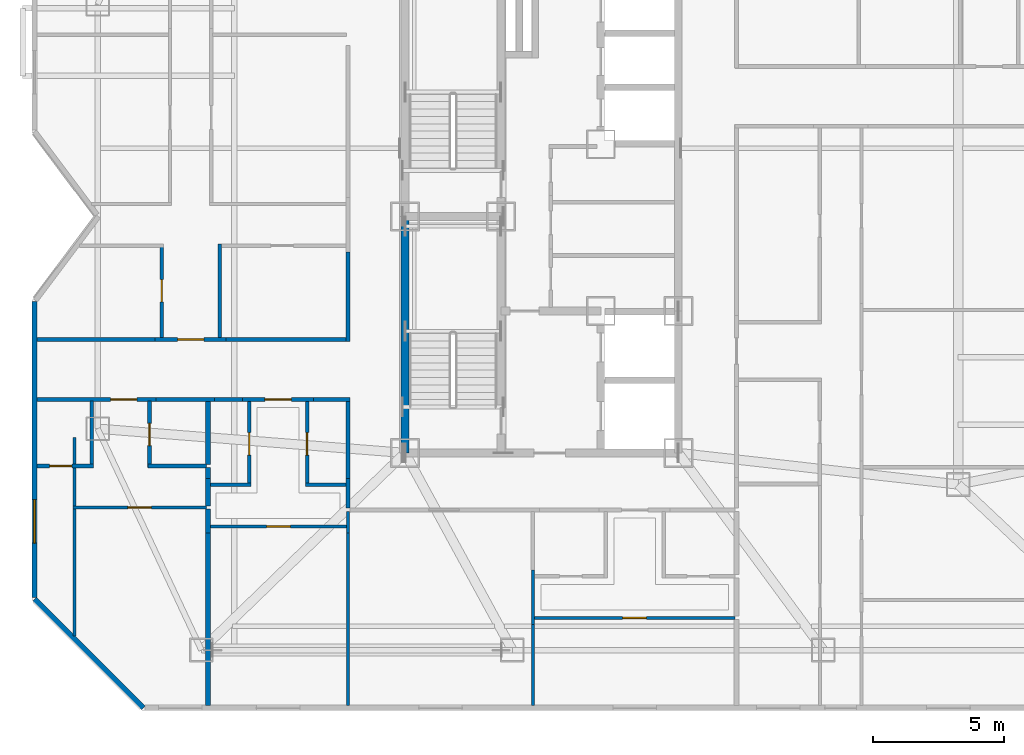
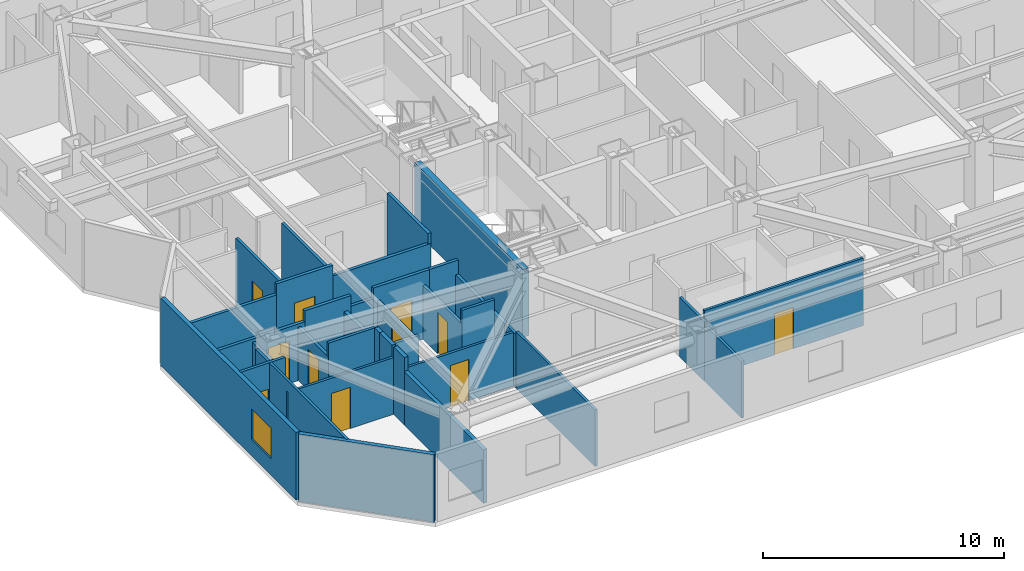
# One storey, part 5 of 13: 37 walls, 11 doors, 1 window, 12 openings.
"""IFC4 building model written with IfcOpenShell, lengths in metres."""

from ifc_helpers import new_model, si_unit, direction, frame, frame_2d, origin, place, context, subcontext, project, spatial, rectangle, extrude, material, layer, layer_set, type_object, element, fill, save


model = new_model("IFC4")

# Units and contexts
model_context = context("Model", 3, precision=1e-05, world=origin(), true_north=direction((0.0, 1.0)))
body_context = subcontext(model_context, "Body", "Model", "MODEL_VIEW")
ifc_project = project(units=[si_unit("LENGTHUNIT", "METRE"), si_unit("AREAUNIT", "SQUARE_METRE"), si_unit("VOLUMEUNIT", "CUBIC_METRE"), si_unit("PLANEANGLEUNIT", "RADIAN"), si_unit("MASSUNIT", "GRAM", prefix="KILO")], contexts=[model_context])

# Site, building, storey
site_placement = place(None, origin())
site = spatial("IfcSite", under=ifc_project, at=site_placement, CompositionType="ELEMENT")
building_placement = place(site_placement, origin())
building = spatial("IfcBuilding", under=site, at=building_placement, Name="Khamvora Tower", CompositionType="ELEMENT")
storey_placement = place(building_placement, frame((0.0, 0.0, 166.85009765625)))
storey = spatial("IfcBuildingStorey", under=building, at=storey_placement, Name="L42", CompositionType="ELEMENT", Elevation=166.85009765625)

# Wall
ifc_material_1 = material(Name="Concrete C50/60", Category="concrete")
ifc_layer_1 = layer(ifc_material_1, 0.300048828125)
ifc_layer_set_1 = layer_set([ifc_layer_1], Name="Concrete C50/60")
wall_type_1 = type_object("IfcWallType", Name="WAL-CORE-300", PredefinedType="SHEAR", material=ifc_layer_set_1)
wall_1_placement = place(storey_placement, frame((29.0, 19.0, 0.0), z_axis=(0.0, 0.0, 1.0), x_axis=(0.0, 1.0, 0.0)))
element("IfcWall", 1, at=wall_1_placement, inside=storey, type_object=wall_type_1, Name="L42 central core west south wall", PredefinedType="SHEAR", context=body_context, shape_type="SweptSolid", body=[
    extrude(rectangle(XDim=9.0, YDim=0.300048828125, at=frame_2d((4.5, 0.0))), origin(), (0.0, 0.0, 1.0), 3.429931640625),
])

# Wall, opening, door
ifc_material_2 = material(Name="Fire-Rated Drywall and Steel Stud", Category="steel")
ifc_layer_2 = layer(ifc_material_2, 0.14990234375)
ifc_layer_set_2 = layer_set([ifc_layer_2], Name="Fire-Rated Drywall and Steel Stud")
wall_type_2 = type_object("IfcWallType", Name="WAL-CORR-150", PredefinedType="STANDARD", material=ifc_layer_set_2)
wall_2_placement = place(storey_placement, frame((19.52392578125, 21.034912109375, 0.0), z_axis=(0.0, 0.0, 1.0), x_axis=(-1.0, 0.0, 0.0)))
wall_2 = element("IfcWall", 2, at=wall_2_placement, inside=storey, type_object=wall_type_2, Name="L42 interior partition wall 008", PredefinedType="STANDARD", context=body_context, shape_type="SweptSolid", body=[
    extrude(rectangle(XDim=4.531982421875, YDim=0.14990234375, at=frame_2d((2.26611328125, 0.0))), origin(), (0.0, 0.0, 1.0), 2.8759765625),
])
opening_1_placement = place(wall_2_placement, frame((0.73388671875, 0.0, 0.0)))
opening_1 = element("IfcOpeningElement", 3, at=opening_1_placement, cuts=wall_2, Name="Opening D-U1", PredefinedType="OPENING", context=body_context, shape_type="SweptSolid", body=[
    extrude(rectangle(XDim=1.0, YDim=2.14990234375, at=frame_2d((0.5, 1.074951171875))), frame((0.0, 0.0849609375, 0.0), z_axis=(0.0, -1.0, 0.0), x_axis=(1.0, 0.0, 0.0)), (0.0, 0.0, 1.0), 0.169921875),
])
ifc_material_3 = material(Name="Powder-Coated Steel and Hardwood Leaf", Category="steel")
door_type_1 = type_object("IfcDoorType", Name="DOR-UNIT-1000", OperationType="NOTDEFINED", PredefinedType="DOOR", material=ifc_material_3)
door_1_placement = place(opening_1_placement, origin())
door_1 = element("IfcDoor", 4, at=door_1_placement, inside=storey, type_object=door_type_1, Name="L42 interior door COR-42WAH", OperationType="SINGLE_SWING_LEFT", OverallHeight=2.14990234375, OverallWidth=1.0, PredefinedType="DOOR", context=body_context, shape_type="SweptSolid", body=[
    extrude(rectangle(XDim=1.0, YDim=2.14990234375, at=frame_2d((0.5, 1.074951171875))), frame((0.0, 0.02490234375, 0.0), z_axis=(0.0, -1.0, 0.0), x_axis=(1.0, 0.0, 0.0)), (0.0, 0.0, 1.0), 0.050048828125),
])
fill(opening_1, door_1)

# Walls
wall_3_placement = place(storey_placement, frame((21.75390625, 21.034912109375, 0.0), z_axis=(0.0, 0.0, 1.0), x_axis=(-1.0, 0.0, 0.0)))
element("IfcWall", 5, at=wall_3_placement, inside=storey, type_object=wall_type_2, Name="L42 interior partition wall 009", PredefinedType="STANDARD", context=body_context, shape_type="SweptSolid", body=[
    extrude(rectangle(XDim=2.22998046875, YDim=0.14990234375, at=frame_2d((1.114990234375, 0.0))), origin(), (0.0, 0.0, 1.0), 3.429931640625),
])
wall_4_placement = place(storey_placement, frame((26.8349609375, 16.89990234375, 0.0), z_axis=(0.0, 0.0, 1.0), x_axis=(0.0, 1.0, 0.0)))
element("IfcWall", 6, at=wall_4_placement, inside=storey, type_object=wall_type_2, Name="L42 interior partition wall 010", PredefinedType="STANDARD", context=body_context, shape_type="SweptSolid", body=[
    extrude(rectangle(XDim=1.135009765625, YDim=0.14990234375, at=frame_2d((0.5673828125, 0.0))), origin(), (0.0, 0.0, 1.0), 2.724853515625),
])

# Wall, opening, door
wall_5_placement = place(storey_placement, frame((25.51904296875, 21.034912109375, 0.0), z_axis=(0.0, 0.0, 1.0), x_axis=(-1.0, 0.0, 0.0)))
wall_5 = element("IfcWall", 7, at=wall_5_placement, inside=storey, type_object=wall_type_2, Name="L42 interior partition wall 011", PredefinedType="STANDARD", context=body_context, shape_type="SweptSolid", body=[
    extrude(rectangle(XDim=2.697998046875, YDim=0.14990234375, at=frame_2d((1.34912109375, 0.0))), origin(), (0.0, 0.0, 1.0), 3.429931640625),
])
opening_2_placement = place(wall_5_placement, frame((0.84912109375, 0.0, 0.0)))
opening_2 = element("IfcOpeningElement", 8, at=opening_2_placement, cuts=wall_5, Name="Opening D-U1", PredefinedType="OPENING", context=body_context, shape_type="SweptSolid", body=[
    extrude(rectangle(XDim=1.0, YDim=2.14990234375, at=frame_2d((0.5, 1.074951171875))), frame((0.0, 0.0849609375, 0.0), z_axis=(0.0, -1.0, 0.0), x_axis=(1.0, 0.0, 0.0)), (0.0, 0.0, 1.0), 0.169921875),
])
door_2_placement = place(opening_2_placement, origin())
door_2 = element("IfcDoor", 9, at=door_2_placement, inside=storey, type_object=door_type_1, Name="L42 interior door COR-42WBH", OperationType="SINGLE_SWING_RIGHT", OverallHeight=2.14990234375, OverallWidth=1.0, PredefinedType="DOOR", context=body_context, shape_type="SweptSolid", body=[
    extrude(rectangle(XDim=1.0, YDim=2.14990234375, at=frame_2d((0.5, 1.074951171875))), frame((0.0, 0.02490234375, 0.0), z_axis=(0.0, -1.0, 0.0), x_axis=(1.0, 0.0, 0.0)), (0.0, 0.0, 1.0), 0.050048828125),
])
fill(opening_2, door_2)

# Walls
wall_6_placement = place(storey_placement, frame((26.8349609375, 18.034912109375, 0.0), z_axis=(0.0, 0.0, 1.0), x_axis=(0.0, 1.0, 0.0)))
element("IfcWall", 10, at=wall_6_placement, inside=storey, type_object=wall_type_2, Name="L42 interior partition wall 012", PredefinedType="STANDARD", context=body_context, shape_type="SweptSolid", body=[
    extrude(rectangle(XDim=3.065185546875, YDim=0.14990234375, at=frame_2d((1.53271484375, 0.0))), origin(), (0.0, 0.0, 1.0), 2.724853515625),
])
wall_7_placement = place(storey_placement, frame((26.89794921875, 21.034912109375, 0.0), z_axis=(0.0, 0.0, 1.0), x_axis=(-1.0, 0.0, 0.0)))
element("IfcWall", 11, at=wall_7_placement, inside=storey, type_object=wall_type_2, Name="L42 interior partition wall 013", PredefinedType="STANDARD", context=body_context, shape_type="SweptSolid", body=[
    extrude(rectangle(XDim=1.37890625, YDim=0.14990234375, at=frame_2d((0.689453125, 0.0))), origin(), (0.0, 0.0, 1.0), 3.429931640625),
])
wall_8_placement = place(storey_placement, frame((22.821044921875, 21.034912109375, 0.0), z_axis=(0.0, 0.0, 1.0), x_axis=(-1.0, 0.0, 0.0)))
element("IfcWall", 12, at=wall_8_placement, inside=storey, type_object=wall_type_2, Name="L42 interior partition wall 014", PredefinedType="STANDARD", context=body_context, shape_type="SweptSolid", body=[
    extrude(rectangle(XDim=1.067138671875, YDim=0.14990234375, at=frame_2d((0.53369140625, 0.0))), origin(), (0.0, 0.0, 1.0), 2.886962890625),
])

# Wall, opening, door
wall_9_placement = place(storey_placement, frame((19.490966796875, 23.31494140625, 0.0), z_axis=(0.0, 0.0, 1.0), x_axis=(1.0, 0.0, 0.0)))
wall_9 = element("IfcWall", 13, at=wall_9_placement, inside=storey, type_object=wall_type_2, Name="L42 interior partition wall 015", PredefinedType="STANDARD", context=body_context, shape_type="SweptSolid", body=[
    extrude(rectangle(XDim=2.697998046875, YDim=0.14990234375, at=frame_2d((1.34912109375, 0.0))), origin(), (0.0, 0.0, 1.0), 3.429931640625),
])
opening_3_placement = place(wall_9_placement, frame((0.84912109375, 0.0, 0.0)))
opening_3 = element("IfcOpeningElement", 14, at=opening_3_placement, cuts=wall_9, Name="Opening D-U1", PredefinedType="OPENING", context=body_context, shape_type="SweptSolid", body=[
    extrude(rectangle(XDim=1.0, YDim=2.14990234375, at=frame_2d((0.5, 1.074951171875))), frame((0.0, 0.0849609375, 0.0), z_axis=(0.0, -1.0, 0.0), x_axis=(1.0, 0.0, 0.0)), (0.0, 0.0, 1.0), 0.169921875),
])
door_3_placement = place(opening_3_placement, origin())
door_3 = element("IfcDoor", 15, at=door_3_placement, inside=storey, type_object=door_type_1, Name="L42 interior door COR-42WCH", OperationType="SINGLE_SWING_LEFT", OverallHeight=2.14990234375, OverallWidth=1.0, PredefinedType="DOOR", context=body_context, shape_type="SweptSolid", body=[
    extrude(rectangle(XDim=1.0, YDim=2.14990234375, at=frame_2d((0.5, 1.074951171875))), frame((0.0, 0.02490234375, 0.0), z_axis=(0.0, -1.0, 0.0), x_axis=(1.0, 0.0, 0.0)), (0.0, 0.0, 1.0), 0.050048828125),
])
fill(opening_3, door_3)

# Walls
wall_10_placement = place(storey_placement, frame((14.991943359375, 23.31494140625, 0.0), z_axis=(0.0, 0.0, 1.0), x_axis=(1.0, 0.0, 0.0)))
element("IfcWall", 16, at=wall_10_placement, inside=storey, type_object=wall_type_2, Name="L42 interior partition wall 017", PredefinedType="STANDARD", context=body_context, shape_type="SweptSolid", body=[
    extrude(rectangle(XDim=4.4990234375, YDim=0.14990234375, at=frame_2d((2.24951171875, 0.0))), origin(), (0.0, 0.0, 1.0), 2.8759765625),
])
wall_11_placement = place(storey_placement, frame((22.18896484375, 23.31494140625, 0.0), z_axis=(0.0, 0.0, 1.0), x_axis=(1.0, 0.0, 0.0)))
element("IfcWall", 17, at=wall_11_placement, inside=storey, type_object=wall_type_2, Name="L42 interior partition wall 018", PredefinedType="STANDARD", context=body_context, shape_type="SweptSolid", body=[
    extrude(rectangle(XDim=4.7109375, YDim=0.14990234375, at=frame_2d((2.35546875, 0.0))), origin(), (0.0, 0.0, 1.0), 2.886962890625),
])
wall_12_placement = place(storey_placement, frame((26.8349609375, 23.25, 0.0), z_axis=(0.0, 0.0, 1.0), x_axis=(0.0, 1.0, 0.0)))
element("IfcWall", 18, at=wall_12_placement, inside=storey, type_object=wall_type_2, Name="L42 interior partition wall 019", PredefinedType="STANDARD", context=body_context, shape_type="SweptSolid", body=[
    extrude(rectangle(XDim=3.39599609375, YDim=0.14990234375, at=frame_2d((1.697998046875, 0.0))), origin(), (0.0, 0.0, 1.0), 3.429931640625),
])
ifc_material_4 = material(Name="Acoustic Double-Stud Fire Wall", Category="gypsum")
ifc_layer_3 = layer(ifc_material_4, 0.179931640625)
ifc_layer_set_3 = layer_set([ifc_layer_3], Name="Acoustic Double-Stud Fire Wall")
wall_type_3 = type_object("IfcWallType", Name="WAL-CORR-180", PredefinedType="STANDARD", material=ifc_layer_set_3)
wall_13_placement = place(storey_placement, frame((21.5048828125, 18.034912109375, 0.0), z_axis=(0.0, 0.0, 1.0), x_axis=(0.0, -1.0, 0.0)))
element("IfcWall", 19, at=wall_13_placement, inside=storey, type_object=wall_type_3, Name="L42 interior partition wall 056", PredefinedType="STANDARD", context=body_context, shape_type="SweptSolid", body=[
    extrude(rectangle(XDim=1.044921875, YDim=0.179931640625, at=frame_2d((0.5224609375, 0.0))), origin(), (0.0, 0.0, 1.0), 3.429931640625),
])
wall_14_placement = place(storey_placement, frame((21.5048828125, 18.43994140625, 0.0), z_axis=(0.0, 0.0, 1.0), x_axis=(0.0, -1.0, 0.0)))
element("IfcWall", 20, at=wall_14_placement, inside=storey, type_object=wall_type_3, Name="L42 interior partition wall 057", PredefinedType="STANDARD", context=body_context, shape_type="SweptSolid", body=[
    extrude(rectangle(XDim=0.405029296875, YDim=0.179931640625, at=frame_2d((0.20263671875, 0.0))), origin(), (0.0, 0.0, 1.0), 3.429931640625),
])
wall_15_placement = place(storey_placement, frame((21.5048828125, 20.969970703125, 0.0), z_axis=(0.0, 0.0, 1.0), x_axis=(0.0, -1.0, 0.0)))
element("IfcWall", 21, at=wall_15_placement, inside=storey, type_object=wall_type_3, Name="L42 interior partition wall 058", PredefinedType="STANDARD", context=body_context, shape_type="SweptSolid", body=[
    extrude(rectangle(XDim=2.39990234375, YDim=0.179931640625, at=frame_2d((1.199951171875, 0.0))), origin(), (0.0, 0.0, 1.0), 2.724853515625),
])
wall_16_placement = place(storey_placement, frame((21.5048828125, 16.860107421875, 0.0), z_axis=(0.0, 0.0, 1.0), x_axis=(0.0, -1.0, 0.0)))
element("IfcWall", 22, at=wall_16_placement, inside=storey, type_object=wall_type_3, Name="L42 interior partition wall 059", PredefinedType="STANDARD", context=body_context, shape_type="SweptSolid", body=[
    extrude(rectangle(XDim=0.903076171875, YDim=0.179931640625, at=frame_2d((0.45166015625, 0.0))), origin(), (0.0, 0.0, 1.0), 3.429931640625),
])
wall_17_placement = place(storey_placement, frame((21.5048828125, 15.95703125, 0.0), z_axis=(0.0, 0.0, 1.0), x_axis=(0.0, -1.0, 0.0)))
element("IfcWall", 23, at=wall_17_placement, inside=storey, type_object=wall_type_3, Name="L42 interior partition wall 060", PredefinedType="STANDARD", context=body_context, shape_type="SweptSolid", body=[
    extrude(rectangle(XDim=6.56494140625, YDim=0.179931640625, at=frame_2d((3.282470703125, 0.0))), origin(), (0.0, 0.0, 1.0), 2.724853515625),
])
ifc_material_5 = material(Name="Precast concrete C40/50", Category="concrete")
ifc_layer_4 = layer(ifc_material_5, 0.199951171875)
ifc_layer_set_4 = layer_set([ifc_layer_4], Name="Precast concrete C40/50")
wall_type_4 = type_object("IfcWallType", Name="WAL-EXT-200", PredefinedType="STANDARD", material=ifc_layer_set_4)
wall_18_placement = place(storey_placement, frame((19.041015625, 9.300048828125, 0.0), z_axis=(0.0, 0.0, 1.0), x_axis=(-0.707127625344, 0.707085936414, 0.0)))
element("IfcWall", 24, at=wall_18_placement, inside=storey, type_object=wall_type_4, Name="L42 exterior facade wall 01.1", PredefinedType="STANDARD", context=body_context, shape_type="SweptSolid", body=[
    extrude(rectangle(XDim=5.856201171875, YDim=0.199951171875, at=frame_2d((2.92822265625, 0.0))), origin(), (0.0, 0.0, 1.0), 3.429931640625),
])

# Wall, opening, window
wall_19_placement = place(storey_placement, frame((14.89990234375, 13.50390625, 0.0), z_axis=(0.0, 0.0, 1.0), x_axis=(0.0, 1.0, 0.0)))
wall_19 = element("IfcWall", 25, at=wall_19_placement, inside=storey, type_object=wall_type_4, Name="L42 exterior facade wall 02.1", PredefinedType="STANDARD", context=body_context, shape_type="SweptSolid", body=[
    extrude(rectangle(XDim=11.26318359375, YDim=0.199951171875, at=frame_2d((5.631591796875, 0.0))), origin(), (0.0, 0.0, 1.0), 3.429931640625),
])
opening_4_placement = place(wall_19_placement, frame((2.068115234375, 0.0, 0.85009765625)))
opening_4 = element("IfcOpeningElement", 26, at=opening_4_placement, cuts=wall_19, Name="Opening WN-06", PredefinedType="OPENING", context=body_context, shape_type="SweptSolid", body=[
    extrude(rectangle(XDim=1.64990234375, YDim=1.550048828125, at=frame_2d((0.824951171875, 0.77490234375))), frame((0.0, 0.10986328125, 0.0), z_axis=(0.0, -1.0, 0.0), x_axis=(1.0, 0.0, 0.0)), (0.0, 0.0, 1.0), 0.219970703125),
])
ifc_material_6 = material(Name="Low-E Laminated Double Glazing", Category="glass")
window_type = type_object("IfcWindowType", Name="WIN-VIS-1650x1550", PartitioningType="SINGLE_PANEL", PredefinedType="WINDOW", material=ifc_material_6)
window_placement = place(opening_4_placement, origin())
window = element("IfcWindow", 27, at=window_placement, inside=storey, type_object=window_type, Name="L42 vision window 02.1.01", OverallHeight=1.550048828125, OverallWidth=1.64990234375, PartitioningType="SINGLE_PANEL", PredefinedType="WINDOW", context=body_context, shape_type="SweptSolid", body=[
    extrude(rectangle(XDim=1.64990234375, YDim=1.550048828125, at=frame_2d((0.824951171875, 0.77490234375))), frame((0.0, 0.030029296875, 0.0), z_axis=(0.0, -1.0, 0.0), x_axis=(1.0, 0.0, 0.0)), (0.0, 0.0, 1.0), 0.06005859375),
])
fill(opening_4, window)

# Walls
ifc_material_7 = material(Name="Gypsum Plasterboard Partition", Category="gypsum")
ifc_layer_5 = layer(ifc_material_7, 0.1201171875)
ifc_layer_set_5 = layer_set([ifc_layer_5], Name="Gypsum Plasterboard Partition")
wall_type_5 = type_object("IfcWallType", Name="WAL-PART-120", PredefinedType="PARTITIONING", material=ifc_layer_set_5)
wall_20_placement = place(storey_placement, frame((26.8349609375, 15.95703125, 0.0), z_axis=(0.0, 0.0, 1.0), x_axis=(0.0, 1.0, 0.0)))
element("IfcWall", 28, at=wall_20_placement, inside=storey, type_object=wall_type_5, Name="L42 interior partition wall 045", PredefinedType="PARTITIONING", context=body_context, shape_type="SweptSolid", body=[
    extrude(rectangle(XDim=0.81298828125, YDim=0.1201171875, at=frame_2d((0.406494140625, 0.0))), origin(), (0.0, 0.0, 1.0), 2.724853515625),
])
wall_21_placement = place(storey_placement, frame((26.8349609375, 9.39208984375, 0.0), z_axis=(0.0, 0.0, 1.0), x_axis=(0.0, 1.0, 0.0)))
element("IfcWall", 29, at=wall_21_placement, inside=storey, type_object=wall_type_5, Name="L42 interior partition wall 046", PredefinedType="PARTITIONING", context=body_context, shape_type="SweptSolid", body=[
    extrude(rectangle(XDim=6.56494140625, YDim=0.1201171875, at=frame_2d((3.282470703125, 0.0))), origin(), (0.0, 0.0, 1.0), 2.8759765625),
])
wall_22_placement = place(storey_placement, frame((33.864990234375, 14.553955078125, 0.0), z_axis=(0.0, 0.0, 1.0), x_axis=(0.0, -1.0, 0.0)))
element("IfcWall", 30, at=wall_22_placement, inside=storey, type_object=wall_type_5, Name="L42 interior partition wall 047", PredefinedType="PARTITIONING", context=body_context, shape_type="SweptSolid", body=[
    extrude(rectangle(XDim=2.077880859375, YDim=0.1201171875, at=frame_2d((1.0390625, 0.0))), origin(), (0.0, 0.0, 1.0), 3.012939453125),
])
wall_23_placement = place(storey_placement, frame((33.864990234375, 12.47607421875, 0.0), z_axis=(0.0, 0.0, 1.0), x_axis=(0.0, -1.0, 0.0)))
element("IfcWall", 31, at=wall_23_placement, inside=storey, type_object=wall_type_5, Name="L42 interior partition wall 049", PredefinedType="PARTITIONING", context=body_context, shape_type="SweptSolid", body=[
    extrude(rectangle(XDim=3.083984375, YDim=0.1201171875, at=frame_2d((1.5419921875, 0.0))), origin(), (0.0, 0.0, 1.0), 2.8759765625),
])

# Wall, opening, door
wall_24_placement = place(storey_placement, frame((21.43994140625, 16.925048828125, 0.0), z_axis=(0.0, 0.0, 1.0), x_axis=(-1.0, 0.0, 0.0)))
wall_24 = element("IfcWall", 32, at=wall_24_placement, inside=storey, type_object=wall_type_5, Name="L42 interior partition wall 054", PredefinedType="PARTITIONING", context=body_context, shape_type="SweptSolid", body=[
    extrude(rectangle(XDim=5.079833984375, YDim=0.1201171875, at=frame_2d((2.5400390625, 0.0))), origin(), (0.0, 0.0, 1.0), 2.8759765625),
])
opening_5_placement = place(wall_24_placement, frame((2.090087890625, 0.0, 0.0)))
opening_5 = element("IfcOpeningElement", 33, at=opening_5_placement, cuts=wall_24, Name="Opening D-RM1", PredefinedType="OPENING", context=body_context, shape_type="SweptSolid", body=[
    extrude(rectangle(XDim=0.89990234375, YDim=2.10009765625, at=frame_2d((0.449951171875, 1.050048828125))), frame((0.0, 0.070068359375, 0.0), z_axis=(0.0, -1.0, 0.0), x_axis=(1.0, 0.0, 0.0)), (0.0, 0.0, 1.0), 0.14013671875),
])
door_type_2 = type_object("IfcDoorType", Name="DOR-ROOM-900", OperationType="NOTDEFINED", PredefinedType="DOOR", material=ifc_material_3)
door_4_placement = place(opening_5_placement, origin())
door_4 = element("IfcDoor", 34, at=door_4_placement, inside=storey, type_object=door_type_2, Name="L42 interior door 42WAH-42WAR1", OperationType="SINGLE_SWING_LEFT", OverallHeight=2.10009765625, OverallWidth=0.89990234375, PredefinedType="DOOR", context=body_context, shape_type="SweptSolid", body=[
    extrude(rectangle(XDim=0.89990234375, YDim=2.10009765625, at=frame_2d((0.449951171875, 1.050048828125))), frame((0.0, 0.02490234375, 0.0), z_axis=(0.0, -1.0, 0.0), x_axis=(1.0, 0.0, 0.0)), (0.0, 0.0, 1.0), 0.050048828125),
])
fill(opening_5, door_4)

# Wall
wall_25_placement = place(storey_placement, frame((16.425048828125, 19.590087890625, 0.0), z_axis=(0.0, 0.0, 1.0), x_axis=(0.0, -1.0, 0.0)))
element("IfcWall", 35, at=wall_25_placement, inside=storey, type_object=wall_type_5, Name="L42 interior partition wall 055", PredefinedType="PARTITIONING", context=body_context, shape_type="SweptSolid", body=[
    extrude(rectangle(XDim=7.55908203125, YDim=0.1201171875, at=frame_2d((3.779541015625, 0.0))), origin(), (0.0, 0.0, 1.0), 3.429931640625),
])

# Wall, opening, door
wall_26_placement = place(storey_placement, frame((26.781005859375, 16.2060546875, 0.0), z_axis=(0.0, 0.0, 1.0), x_axis=(-1.0, 0.0, 0.0)))
wall_26 = element("IfcWall", 36, at=wall_26_placement, inside=storey, type_object=wall_type_5, Name="L42 interior partition wall 065", PredefinedType="PARTITIONING", context=body_context, shape_type="SweptSolid", body=[
    extrude(rectangle(XDim=5.194091796875, YDim=0.1201171875, at=frame_2d((2.59716796875, 0.0))), origin(), (0.0, 0.0, 1.0), 2.724853515625),
])
opening_6_placement = place(wall_26_placement, frame((2.14697265625, 0.0, 0.0)))
opening_6 = element("IfcOpeningElement", 37, at=opening_6_placement, cuts=wall_26, Name="Opening D-RM1", PredefinedType="OPENING", context=body_context, shape_type="SweptSolid", body=[
    extrude(rectangle(XDim=0.89990234375, YDim=2.10009765625, at=frame_2d((0.449951171875, 1.050048828125))), frame((0.0, 0.070068359375, 0.0), z_axis=(0.0, -1.0, 0.0), x_axis=(1.0, 0.0, 0.0)), (0.0, 0.0, 1.0), 0.14013671875),
])
door_5_placement = place(opening_6_placement, origin())
door_5 = element("IfcDoor", 38, at=door_5_placement, inside=storey, type_object=door_type_2, Name="L42 interior door 42WBH-42WBR1", OperationType="SINGLE_SWING_RIGHT", OverallHeight=2.10009765625, OverallWidth=0.89990234375, PredefinedType="DOOR", context=body_context, shape_type="SweptSolid", body=[
    extrude(rectangle(XDim=0.89990234375, YDim=2.10009765625, at=frame_2d((0.449951171875, 1.050048828125))), frame((0.0, 0.02490234375, 0.0), z_axis=(0.0, -1.0, 0.0), x_axis=(1.0, 0.0, 0.0)), (0.0, 0.0, 1.0), 0.050048828125),
])
fill(opening_6, door_5)

wall_27_placement = place(storey_placement, frame((41.550048828125, 12.72509765625, 0.0), z_axis=(0.0, 0.0, 1.0), x_axis=(-1.0, 0.0, 0.0)))
wall_27 = element("IfcWall", 39, at=wall_27_placement, inside=storey, type_object=wall_type_5, Name="L42 interior partition wall 090", PredefinedType="PARTITIONING", context=body_context, shape_type="SweptSolid", body=[
    extrude(rectangle(XDim=7.631103515625, YDim=0.1201171875, at=frame_2d((3.8154296875, 0.0))), origin(), (0.0, 0.0, 1.0), 3.429931640625),
])
opening_7_placement = place(wall_27_placement, frame((3.364990234375, 0.0, 0.0)))
opening_7 = element("IfcOpeningElement", 40, at=opening_7_placement, cuts=wall_27, Name="Opening D-RM1", PredefinedType="OPENING", context=body_context, shape_type="SweptSolid", body=[
    extrude(rectangle(XDim=0.89990234375, YDim=2.10009765625, at=frame_2d((0.449951171875, 1.050048828125))), frame((0.0, 0.070068359375, 0.0), z_axis=(0.0, -1.0, 0.0), x_axis=(1.0, 0.0, 0.0)), (0.0, 0.0, 1.0), 0.14013671875),
])
door_6_placement = place(opening_7_placement, origin())
door_6 = element("IfcDoor", 41, at=door_6_placement, inside=storey, type_object=door_type_2, Name="L42 interior door 42SAH-42SAR1", OperationType="SINGLE_SWING_RIGHT", OverallHeight=2.10009765625, OverallWidth=0.89990234375, PredefinedType="DOOR", context=body_context, shape_type="SweptSolid", body=[
    extrude(rectangle(XDim=0.89990234375, YDim=2.10009765625, at=frame_2d((0.449951171875, 1.050048828125))), frame((0.0, 0.02490234375, 0.0), z_axis=(0.0, -1.0, 0.0), x_axis=(1.0, 0.0, 0.0)), (0.0, 0.0, 1.0), 0.050048828125),
])
fill(opening_7, door_6)

ifc_material_8 = material(Name="Moisture-Resistant Plasterboard Partition", Category="gypsum")
ifc_layer_6 = layer(ifc_material_8, 0.135009765625)
ifc_layer_set_6 = layer_set([ifc_layer_6], Name="Moisture-Resistant Plasterboard Partition")
wall_type_6 = type_object("IfcWallType", Name="WAL-WET-135", PredefinedType="PARTITIONING", material=ifc_layer_set_6)
wall_28_placement = place(storey_placement, frame((14.991943359375, 18.5048828125, 0.0), z_axis=(0.0, 0.0, 1.0), x_axis=(1.0, 0.0, 0.0)))
wall_28 = element("IfcWall", 42, at=wall_28_placement, inside=storey, type_object=wall_type_6, Name="L42 interior partition wall 050", PredefinedType="PARTITIONING", context=body_context, shape_type="SweptSolid", body=[
    extrude(rectangle(XDim=2.14794921875, YDim=0.135009765625, at=frame_2d((1.073974609375, 0.0))), origin(), (0.0, 0.0, 1.0), 3.429931640625),
])
opening_8_placement = place(wall_28_placement, frame((0.47802734375, 0.0, 0.0)))
opening_8 = element("IfcOpeningElement", 43, at=opening_8_placement, cuts=wall_28, Name="Opening D-WC1", PredefinedType="OPENING", context=body_context, shape_type="SweptSolid", body=[
    extrude(rectangle(XDim=0.85009765625, YDim=2.10009765625, at=frame_2d((0.425048828125, 1.050048828125))), frame((0.0, 0.077392578125, 0.0), z_axis=(0.0, -1.0, 0.0), x_axis=(1.0, 0.0, 0.0)), (0.0, 0.0, 1.0), 0.155029296875),
])
door_type_3 = type_object("IfcDoorType", Name="DOR-WET-850", OperationType="NOTDEFINED", PredefinedType="DOOR", material=ifc_material_3)
door_7_placement = place(opening_8_placement, origin())
door_7 = element("IfcDoor", 44, at=door_7_placement, inside=storey, type_object=door_type_3, Name="L42 interior door 42WAH-42WAB", OperationType="SINGLE_SWING_LEFT", OverallHeight=2.10009765625, OverallWidth=0.85009765625, PredefinedType="DOOR", context=body_context, shape_type="SweptSolid", body=[
    extrude(rectangle(XDim=0.85009765625, YDim=2.10009765625, at=frame_2d((0.425048828125, 1.050048828125))), frame((0.0, 0.02490234375, 0.0), z_axis=(0.0, -1.0, 0.0), x_axis=(1.0, 0.0, 0.0)), (0.0, 0.0, 1.0), 0.050048828125),
])
fill(opening_8, door_7)

# Wall
wall_29_placement = place(storey_placement, frame((17.074951171875, 18.43994140625, 0.0), z_axis=(0.0, 0.0, 1.0), x_axis=(0.0, 1.0, 0.0)))
element("IfcWall", 45, at=wall_29_placement, inside=storey, type_object=wall_type_6, Name="L42 interior partition wall 051", PredefinedType="PARTITIONING", context=body_context, shape_type="SweptSolid", body=[
    extrude(rectangle(XDim=2.530029296875, YDim=0.135009765625, at=frame_2d((1.26513671875, 0.0))), origin(), (0.0, 0.0, 1.0), 2.724853515625),
])

# Wall, opening, door
wall_30_placement = place(storey_placement, frame((19.27490234375, 20.969970703125, 0.0), z_axis=(0.0, 0.0, 1.0), x_axis=(0.0, -1.0, 0.0)))
wall_30 = element("IfcWall", 46, at=wall_30_placement, inside=storey, type_object=wall_type_6, Name="L42 interior partition wall 052", PredefinedType="PARTITIONING", context=body_context, shape_type="SweptSolid", body=[
    extrude(rectangle(XDim=2.530029296875, YDim=0.135009765625, at=frame_2d((1.26513671875, 0.0))), origin(), (0.0, 0.0, 1.0), 2.724853515625),
])
opening_9_placement = place(wall_30_placement, frame((0.840087890625, 0.0, 0.0)))
opening_9 = element("IfcOpeningElement", 47, at=opening_9_placement, cuts=wall_30, Name="Opening D-RM2", PredefinedType="OPENING", context=body_context, shape_type="SweptSolid", body=[
    extrude(rectangle(XDim=0.85009765625, YDim=2.10009765625, at=frame_2d((0.425048828125, 1.050048828125))), frame((0.0, 0.077392578125, 0.0), z_axis=(0.0, -1.0, 0.0), x_axis=(1.0, 0.0, 0.0)), (0.0, 0.0, 1.0), 0.155029296875),
])
door_type_4 = type_object("IfcDoorType", Name="DOR-ROOM-850", OperationType="NOTDEFINED", PredefinedType="DOOR", material=ifc_material_3)
door_8_placement = place(opening_9_placement, origin())
door_8 = element("IfcDoor", 48, at=door_8_placement, inside=storey, type_object=door_type_4, Name="L42 interior door 42WAH-42WAK", OperationType="SINGLE_SWING_RIGHT", OverallHeight=2.10009765625, OverallWidth=0.85009765625, PredefinedType="DOOR", context=body_context, shape_type="SweptSolid", body=[
    extrude(rectangle(XDim=0.85009765625, YDim=2.10009765625, at=frame_2d((0.425048828125, 1.050048828125))), frame((0.0, 0.02490234375, 0.0), z_axis=(0.0, -1.0, 0.0), x_axis=(1.0, 0.0, 0.0)), (0.0, 0.0, 1.0), 0.050048828125),
])
fill(opening_9, door_8)

# Wall
wall_31_placement = place(storey_placement, frame((19.2099609375, 18.5048828125, 0.0), z_axis=(0.0, 0.0, 1.0), x_axis=(1.0, 0.0, 0.0)))
element("IfcWall", 49, at=wall_31_placement, inside=storey, type_object=wall_type_6, Name="L42 interior partition wall 053", PredefinedType="PARTITIONING", context=body_context, shape_type="SweptSolid", body=[
    extrude(rectangle(XDim=2.22998046875, YDim=0.135009765625, at=frame_2d((1.114990234375, 0.0))), origin(), (0.0, 0.0, 1.0), 3.429931640625),
])

# Wall, opening, door
wall_32_placement = place(storey_placement, frame((25.27001953125, 20.969970703125, 0.0), z_axis=(0.0, 0.0, 1.0), x_axis=(0.0, -1.0, 0.0)))
wall_32 = element("IfcWall", 50, at=wall_32_placement, inside=storey, type_object=wall_type_6, Name="L42 interior partition wall 061", PredefinedType="PARTITIONING", context=body_context, shape_type="SweptSolid", body=[
    extrude(rectangle(XDim=3.2490234375, YDim=0.135009765625, at=frame_2d((1.62451171875, 0.0))), origin(), (0.0, 0.0, 1.0), 2.724853515625),
])
opening_10_placement = place(wall_32_placement, frame((1.199951171875, 0.0, 0.0)))
opening_10 = element("IfcOpeningElement", 51, at=opening_10_placement, cuts=wall_32, Name="Opening D-WC1", PredefinedType="OPENING", context=body_context, shape_type="SweptSolid", body=[
    extrude(rectangle(XDim=0.85009765625, YDim=2.10009765625, at=frame_2d((0.425048828125, 1.050048828125))), frame((0.0, 0.077392578125, 0.0), z_axis=(0.0, -1.0, 0.0), x_axis=(1.0, 0.0, 0.0)), (0.0, 0.0, 1.0), 0.155029296875),
])
door_9_placement = place(opening_10_placement, origin())
door_9 = element("IfcDoor", 52, at=door_9_placement, inside=storey, type_object=door_type_3, Name="L42 interior door 42WBH-42WBB", OperationType="SINGLE_SWING_RIGHT", OverallHeight=2.10009765625, OverallWidth=0.85009765625, PredefinedType="DOOR", context=body_context, shape_type="SweptSolid", body=[
    extrude(rectangle(XDim=0.85009765625, YDim=2.10009765625, at=frame_2d((0.425048828125, 1.050048828125))), frame((0.0, 0.02490234375, 0.0), z_axis=(0.0, -1.0, 0.0), x_axis=(1.0, 0.0, 0.0)), (0.0, 0.0, 1.0), 0.050048828125),
])
fill(opening_10, door_9)

# Walls
wall_33_placement = place(storey_placement, frame((25.205078125, 17.785888671875, 0.0), z_axis=(0.0, 0.0, 1.0), x_axis=(1.0, 0.0, 0.0)))
element("IfcWall", 53, at=wall_33_placement, inside=storey, type_object=wall_type_6, Name="L42 interior partition wall 062", PredefinedType="PARTITIONING", context=body_context, shape_type="SweptSolid", body=[
    extrude(rectangle(XDim=1.56494140625, YDim=0.135009765625, at=frame_2d((0.782470703125, 0.0))), origin(), (0.0, 0.0, 1.0), 3.429931640625),
])
wall_34_placement = place(storey_placement, frame((21.5869140625, 17.785888671875, 0.0), z_axis=(0.0, 0.0, 1.0), x_axis=(1.0, 0.0, 0.0)))
element("IfcWall", 54, at=wall_34_placement, inside=storey, type_object=wall_type_6, Name="L42 interior partition wall 063", PredefinedType="PARTITIONING", context=body_context, shape_type="SweptSolid", body=[
    extrude(rectangle(XDim=1.548095703125, YDim=0.135009765625, at=frame_2d((0.77392578125, 0.0))), origin(), (0.0, 0.0, 1.0), 2.886962890625),
])

# Wall, opening, door
wall_35_placement = place(storey_placement, frame((23.070068359375, 17.720947265625, 0.0), z_axis=(0.0, 0.0, 1.0), x_axis=(0.0, 1.0, 0.0)))
wall_35 = element("IfcWall", 55, at=wall_35_placement, inside=storey, type_object=wall_type_6, Name="L42 interior partition wall 064", PredefinedType="PARTITIONING", context=body_context, shape_type="SweptSolid", body=[
    extrude(rectangle(XDim=3.2490234375, YDim=0.135009765625, at=frame_2d((1.62451171875, 0.0))), origin(), (0.0, 0.0, 1.0), 2.724853515625),
])
opening_11_placement = place(wall_35_placement, frame((1.199951171875, 0.0, 0.0)))
opening_11 = element("IfcOpeningElement", 56, at=opening_11_placement, cuts=wall_35, Name="Opening D-RM2", PredefinedType="OPENING", context=body_context, shape_type="SweptSolid", body=[
    extrude(rectangle(XDim=0.85009765625, YDim=2.10009765625, at=frame_2d((0.425048828125, 1.050048828125))), frame((0.0, 0.077392578125, 0.0), z_axis=(0.0, -1.0, 0.0), x_axis=(1.0, 0.0, 0.0)), (0.0, 0.0, 1.0), 0.155029296875),
])
door_10_placement = place(opening_11_placement, origin())
door_10 = element("IfcDoor", 57, at=door_10_placement, inside=storey, type_object=door_type_4, Name="L42 interior door 42WBH-42WBK", OperationType="SINGLE_SWING_LEFT", OverallHeight=2.10009765625, OverallWidth=0.85009765625, PredefinedType="DOOR", context=body_context, shape_type="SweptSolid", body=[
    extrude(rectangle(XDim=0.85009765625, YDim=2.10009765625, at=frame_2d((0.425048828125, 1.050048828125))), frame((0.0, 0.02490234375, 0.0), z_axis=(0.0, -1.0, 0.0), x_axis=(1.0, 0.0, 0.0)), (0.0, 0.0, 1.0), 0.050048828125),
])
fill(opening_11, door_10)

wall_36_placement = place(storey_placement, frame((19.739990234375, 23.382080078125, 0.0), z_axis=(0.0, 0.0, 1.0), x_axis=(0.0, 1.0, 0.0)))
wall_36 = element("IfcWall", 58, at=wall_36_placement, inside=storey, type_object=wall_type_6, Name="L42 interior partition wall 066", PredefinedType="PARTITIONING", context=body_context, shape_type="SweptSolid", body=[
    extrude(rectangle(XDim=3.577880859375, YDim=0.135009765625, at=frame_2d((1.7890625, 0.0))), origin(), (0.0, 0.0, 1.0), 3.429931640625),
])
opening_12_placement = place(wall_36_placement, frame((1.364013671875, 0.0, 0.0)))
opening_12 = element("IfcOpeningElement", 59, at=opening_12_placement, cuts=wall_36, Name="Opening D-WC1", PredefinedType="OPENING", context=body_context, shape_type="SweptSolid", body=[
    extrude(rectangle(XDim=0.85009765625, YDim=2.10009765625, at=frame_2d((0.425048828125, 1.050048828125))), frame((0.0, 0.077392578125, 0.0), z_axis=(0.0, -1.0, 0.0), x_axis=(1.0, 0.0, 0.0)), (0.0, 0.0, 1.0), 0.155029296875),
])
door_11_placement = place(opening_12_placement, origin())
door_11 = element("IfcDoor", 60, at=door_11_placement, inside=storey, type_object=door_type_3, Name="L42 interior door 42WCH-42WCB", OperationType="SINGLE_SWING_LEFT", OverallHeight=2.10009765625, OverallWidth=0.85009765625, PredefinedType="DOOR", context=body_context, shape_type="SweptSolid", body=[
    extrude(rectangle(XDim=0.85009765625, YDim=2.10009765625, at=frame_2d((0.425048828125, 1.050048828125))), frame((0.0, 0.02490234375, 0.0), z_axis=(0.0, -1.0, 0.0), x_axis=(1.0, 0.0, 0.0)), (0.0, 0.0, 1.0), 0.050048828125),
])
fill(opening_12, door_11)

# Wall
wall_37_placement = place(storey_placement, frame((21.93994140625, 26.9599609375, 0.0), z_axis=(0.0, 0.0, 1.0), x_axis=(0.0, -1.0, 0.0)))
element("IfcWall", 61, at=wall_37_placement, inside=storey, type_object=wall_type_6, Name="L42 interior partition wall 069", PredefinedType="PARTITIONING", context=body_context, shape_type="SweptSolid", body=[
    extrude(rectangle(XDim=3.577880859375, YDim=0.135009765625, at=frame_2d((1.7890625, 0.0))), origin(), (0.0, 0.0, 1.0), 3.429931640625),
])

save(model, "model.ifc")
